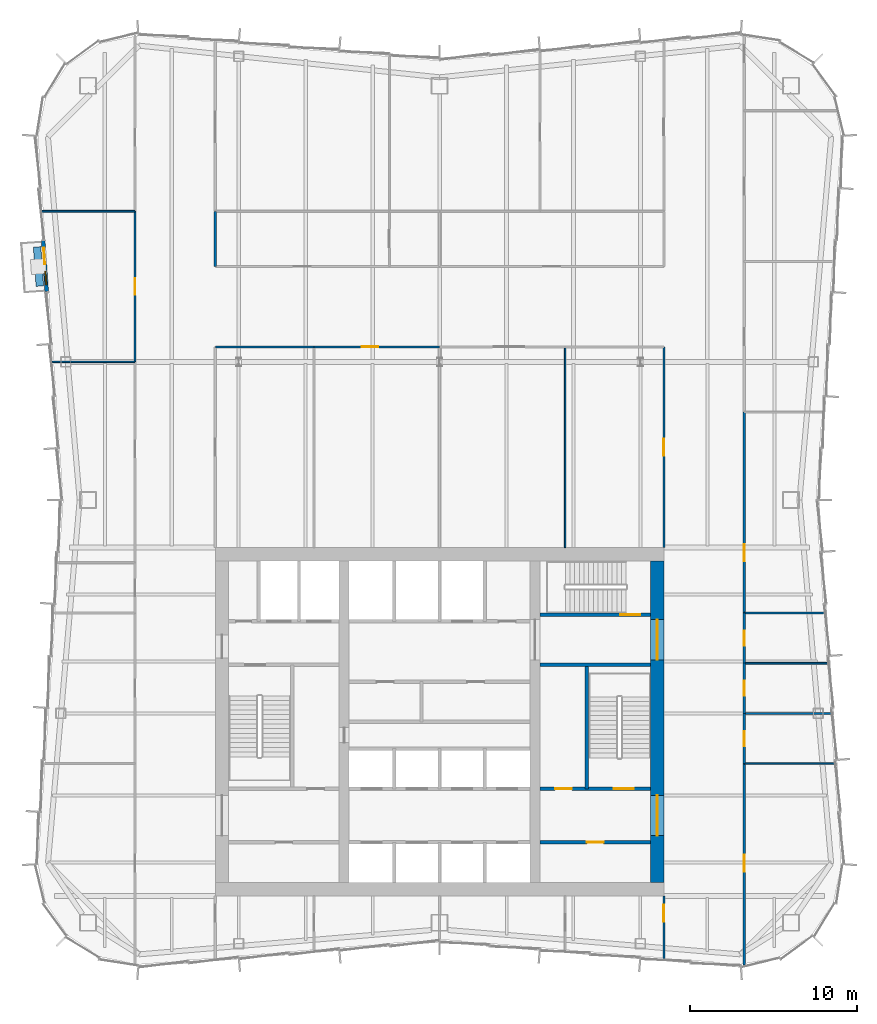
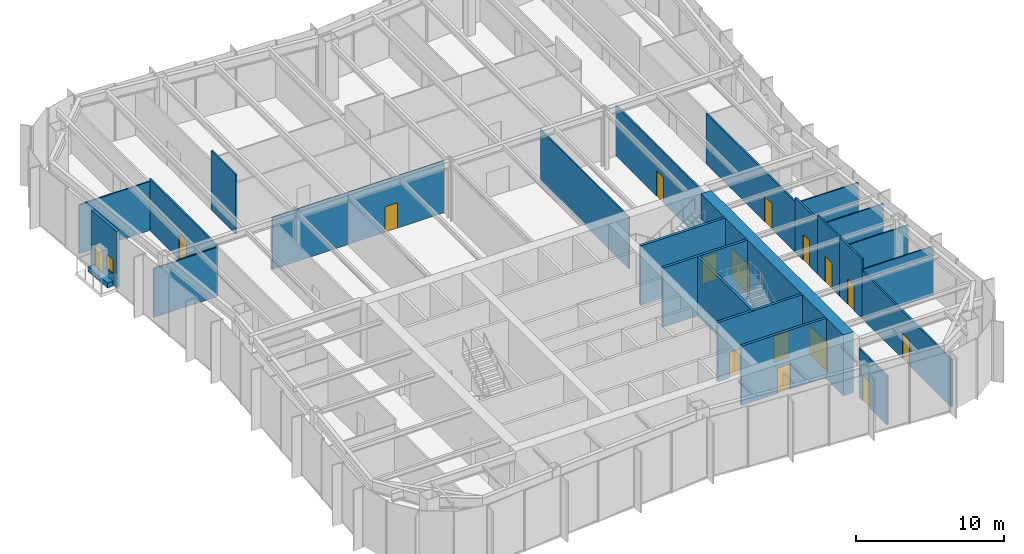
# One storey, part 12 of 15: 26 walls, 16 doors, 1 window, 17 openings.
"""IFC4 building model written with IfcOpenShell, lengths in metres."""

from ifc_helpers import new_model, si_unit, direction, frame, frame_2d, origin, place, context, subcontext, project, spatial, rectangle, extrude, material, layer, layer_set, type_object, element, fill, save


model = new_model("IFC4")

# Units and contexts
model_context = context("Model", 3, precision=1e-05, world=origin(), true_north=direction((0.0, 1.0)))
body_context = subcontext(model_context, "Body", "Model", "MODEL_VIEW")
ifc_project = project(units=[si_unit("LENGTHUNIT", "METRE"), si_unit("AREAUNIT", "SQUARE_METRE"), si_unit("VOLUMEUNIT", "CUBIC_METRE"), si_unit("PLANEANGLEUNIT", "RADIAN"), si_unit("MASSUNIT", "GRAM", prefix="KILO")], contexts=[model_context])

# Site, building, storey
site_placement = place(None, origin())
site = spatial("IfcSite", under=ifc_project, at=site_placement, CompositionType="ELEMENT")
building_placement = place(site_placement, origin())
building = spatial("IfcBuilding", under=site, at=building_placement, Name="Verdant Reach Tower", CompositionType="ELEMENT")
storey_placement = place(building_placement, frame((0.0, 0.0, 233.0)))
storey = spatial("IfcBuildingStorey", under=building, at=storey_placement, Name="L53", CompositionType="ELEMENT", Elevation=233.0)

# Wall, opening, door
ifc_material_1 = material(Name="Gypsum board on steel studs", Category="steel")
ifc_layer_1 = layer(ifc_material_1, 0.199951171875)
ifc_layer_set_1 = layer_set([ifc_layer_1], Name="CO-WALL-ROOM")
wall_type_1 = type_object("IfcWallType", Name="CO-WALL-ROOM", PredefinedType="PARTITIONING", material=ifc_layer_set_1)
wall_1_placement = place(storey_placement, frame((6.0, 20.800048828125, 0.0), z_axis=(0.0, 0.0, 1.0), x_axis=(1.0, 0.0, 0.0)))
wall_1 = element("IfcWall", 1, at=wall_1_placement, inside=storey, type_object=wall_type_1, Name="Core partition, L53", PredefinedType="PARTITIONING", context=body_context, shape_type="SweptSolid", body=[
    extrude(rectangle(XDim=6.60009765625, YDim=0.199951171875, at=frame_2d((3.300048828125, 0.0))), origin(), (0.0, 0.0, 1.0), 4.8701171875),
])
opening_1_placement = place(wall_1_placement, frame((2.800048828125, 0.0, 0.0)))
opening_1 = element("IfcOpeningElement", 2, at=opening_1_placement, cuts=wall_1, Name="Opening CD", PredefinedType="OPENING", context=body_context, shape_type="SweptSolid", body=[
    extrude(rectangle(XDim=1.0, YDim=2.10009765625, at=frame_2d((0.5, 1.050048828125))), frame((0.0, 0.10986328125, 0.0), z_axis=(0.0, -1.0, 0.0), x_axis=(1.0, 0.0, 0.0)), (0.0, 0.0, 1.0), 0.219970703125),
])
ifc_material_2 = material(Name="Timber", Category="wood")
door_type_1 = type_object("IfcDoorType", Name="CO-DOOR-ROOM", OperationType="NOTDEFINED", PredefinedType="DOOR", material=ifc_material_2)
door_1_placement = place(opening_1_placement, origin())
door_1 = element("IfcDoor", 3, at=door_1_placement, inside=storey, type_object=door_type_1, Name="Core room door, L53", OperationType="SINGLE_SWING_RIGHT", OverallHeight=2.10009765625, OverallWidth=1.0, PredefinedType="DOOR", context=body_context, shape_type="SweptSolid", body=[
    extrude(rectangle(XDim=1.0, YDim=2.10009765625, at=frame_2d((0.5, 1.050048828125))), frame((0.0, 0.02490234375, 0.0), z_axis=(0.0, -1.0, 0.0), x_axis=(1.0, 0.0, 0.0)), (0.0, 0.0, 1.0), 0.050048828125),
])
fill(opening_1, door_1)

# Wall, openings, doors
ifc_material_3 = material(Name="Concrete C40/50", Category="concrete")
ifc_layer_2 = layer(ifc_material_3, 0.199951171875)
ifc_layer_set_2 = layer_set([ifc_layer_2], Name="CO-WALL-STAIR")
wall_type_2 = type_object("IfcWallType", Name="CO-WALL-STAIR", PredefinedType="PARTITIONING", material=ifc_layer_set_2)
wall_2_placement = place(storey_placement, frame((6.0, 24.0, 0.0), z_axis=(0.0, 0.0, 1.0), x_axis=(1.0, 0.0, 0.0)))
wall_2 = element("IfcWall", 4, at=wall_2_placement, inside=storey, type_object=wall_type_2, Name="Stair enclosure wall, L53", PredefinedType="PARTITIONING", context=body_context, shape_type="SweptSolid", body=[
    extrude(rectangle(XDim=6.60009765625, YDim=0.199951171875, at=frame_2d((3.300048828125, 0.0))), origin(), (0.0, 0.0, 1.0), 4.8701171875),
])
opening_2_placement = place(wall_2_placement, frame((0.89990234375, 0.0, 0.0)))
opening_2 = element("IfcOpeningElement", 5, at=opening_2_placement, cuts=wall_2, Name="Opening CD", PredefinedType="OPENING", context=body_context, shape_type="SweptSolid", body=[
    extrude(rectangle(XDim=1.0, YDim=2.10009765625, at=frame_2d((0.5, 1.050048828125))), frame((0.0, 0.10986328125, 0.0), z_axis=(0.0, -1.0, 0.0), x_axis=(1.0, 0.0, 0.0)), (0.0, 0.0, 1.0), 0.219970703125),
])
opening_3_placement = place(wall_2_placement, frame((4.39990234375, 0.0, 0.0)))
opening_3 = element("IfcOpeningElement", 6, at=opening_3_placement, cuts=wall_2, Name="Opening SD", PredefinedType="OPENING", context=body_context, shape_type="SweptSolid", body=[
    extrude(rectangle(XDim=1.199951171875, YDim=2.199951171875, at=frame_2d((0.60009765625, 1.10009765625))), frame((0.0, 0.10986328125, 0.0), z_axis=(0.0, -1.0, 0.0), x_axis=(1.0, 0.0, 0.0)), (0.0, 0.0, 1.0), 0.219970703125),
])
door_2_placement = place(opening_2_placement, origin())
door_2 = element("IfcDoor", 7, at=door_2_placement, inside=storey, type_object=door_type_1, Name="Core room door, L53", OperationType="SINGLE_SWING_LEFT", OverallHeight=2.10009765625, OverallWidth=1.0, PredefinedType="DOOR", context=body_context, shape_type="SweptSolid", body=[
    extrude(rectangle(XDim=1.0, YDim=2.10009765625, at=frame_2d((0.5, 1.050048828125))), frame((0.0, 0.02490234375, 0.0), z_axis=(0.0, -1.0, 0.0), x_axis=(1.0, 0.0, 0.0)), (0.0, 0.0, 1.0), 0.050048828125),
])
fill(opening_2, door_2)
ifc_material_4 = material(Name="Steel", Category="steel")
door_type_2 = type_object("IfcDoorType", Name="CO-DOOR-STAIR", OperationType="NOTDEFINED", PredefinedType="DOOR", material=ifc_material_4)
door_3_placement = place(opening_3_placement, origin())
door_3 = element("IfcDoor", 8, at=door_3_placement, inside=storey, type_object=door_type_2, Name="Stair door, L53", OperationType="SINGLE_SWING_LEFT", OverallHeight=2.199951171875, OverallWidth=1.199951171875, PredefinedType="DOOR", context=body_context, shape_type="SweptSolid", body=[
    extrude(rectangle(XDim=1.199951171875, YDim=2.199951171875, at=frame_2d((0.60009765625, 1.10009765625))), frame((0.0, 0.02490234375, 0.0), z_axis=(0.0, -1.0, 0.0), x_axis=(1.0, 0.0, 0.0)), (0.0, 0.0, 1.0), 0.050048828125),
])
fill(opening_3, door_3)

# Wall
wall_3_placement = place(storey_placement, frame((6.0, 31.39990234375, 0.0), z_axis=(0.0, 0.0, 1.0), x_axis=(1.0, 0.0, 0.0)))
element("IfcWall", 9, at=wall_3_placement, inside=storey, type_object=wall_type_2, Name="Stair enclosure wall, L53", PredefinedType="PARTITIONING", context=body_context, shape_type="SweptSolid", body=[
    extrude(rectangle(XDim=6.60009765625, YDim=0.199951171875, at=frame_2d((3.300048828125, 0.0))), origin(), (0.0, 0.0, 1.0), 4.8701171875),
])

# Wall, opening, door
wall_4_placement = place(storey_placement, frame((6.0, 34.39990234375, 0.0), z_axis=(0.0, 0.0, 1.0), x_axis=(1.0, 0.0, 0.0)))
wall_4 = element("IfcWall", 10, at=wall_4_placement, inside=storey, type_object=wall_type_2, Name="Stair enclosure wall, L53", PredefinedType="PARTITIONING", context=body_context, shape_type="SweptSolid", body=[
    extrude(rectangle(XDim=6.60009765625, YDim=0.199951171875, at=frame_2d((3.300048828125, 0.0))), origin(), (0.0, 0.0, 1.0), 4.8701171875),
])
opening_4_placement = place(wall_4_placement, frame((4.800048828125, 0.0, 0.0)))
opening_4 = element("IfcOpeningElement", 11, at=opening_4_placement, cuts=wall_4, Name="Opening SD", PredefinedType="OPENING", context=body_context, shape_type="SweptSolid", body=[
    extrude(rectangle(XDim=1.199951171875, YDim=2.199951171875, at=frame_2d((0.60009765625, 1.10009765625))), frame((0.0, 0.10986328125, 0.0), z_axis=(0.0, -1.0, 0.0), x_axis=(1.0, 0.0, 0.0)), (0.0, 0.0, 1.0), 0.219970703125),
])
door_4_placement = place(opening_4_placement, origin())
door_4 = element("IfcDoor", 12, at=door_4_placement, inside=storey, type_object=door_type_2, Name="Stair door, L53", OperationType="SINGLE_SWING_RIGHT", OverallHeight=2.199951171875, OverallWidth=1.199951171875, PredefinedType="DOOR", context=body_context, shape_type="SweptSolid", body=[
    extrude(rectangle(XDim=1.199951171875, YDim=2.199951171875, at=frame_2d((0.60009765625, 1.10009765625))), frame((0.0, 0.02490234375, 0.0), z_axis=(0.0, -1.0, 0.0), x_axis=(1.0, 0.0, 0.0)), (0.0, 0.0, 1.0), 0.050048828125),
])
fill(opening_4, door_4)

# Wall
wall_5_placement = place(storey_placement, frame((8.800048828125, 24.0, 0.0), z_axis=(0.0, 0.0, 1.0), x_axis=(0.0, 1.0, 0.0)))
element("IfcWall", 13, at=wall_5_placement, inside=storey, type_object=wall_type_2, Name="Stair enclosure wall, L53", PredefinedType="PARTITIONING", context=body_context, shape_type="SweptSolid", body=[
    extrude(rectangle(XDim=7.39990234375, YDim=0.199951171875, at=frame_2d((3.699951171875, 0.0))), origin(), (0.0, 0.0, 1.0), 4.8701171875),
])

# Wall, openings, door, window
ifc_material_5 = material(Name="Insulated bronze aluminium panel wall", Category="aluminium")
ifc_layer_3 = layer(ifc_material_5, 0.219970703125)
ifc_layer_set_3 = layer_set([ifc_layer_3], Name="EN-INFILL WALL")
wall_type_3 = type_object("IfcWallType", Name="EN-INFILL WALL", PredefinedType="SOLIDWALL", material=ifc_layer_set_3)
wall_6_placement = place(storey_placement, frame((-23.680908203125, 56.744140625, 0.0), z_axis=(0.0, 0.0, 1.0), x_axis=(0.068837845086, -0.997627862023, 0.0)))
wall_6 = element("IfcWall", 14, at=wall_6_placement, inside=storey, type_object=wall_type_3, Name="External infill wall, balcony bay 1, L53", PredefinedType="SOLIDWALL", context=body_context, shape_type="SweptSolid", body=[
    extrude(rectangle(XDim=3.046630859375, YDim=0.22412109375, at=frame_2d((1.5234375, 0.0))), origin(), (0.0, 0.0, 1.0), 4.64990234375),
])
opening_5_placement = place(wall_6_placement, frame((0.41552734375, 0.0, 0.0)))
opening_5 = element("IfcOpeningElement", 15, at=opening_5_placement, cuts=wall_6, Name="Opening BD1", PredefinedType="OPENING", context=body_context, shape_type="SweptSolid", body=[
    extrude(rectangle(XDim=1.0, YDim=2.10009765625, at=frame_2d((0.5, 1.050048828125))), frame((0.0, 0.1220703125, 0.0), z_axis=(0.0, -1.0, 0.0), x_axis=(1.0, 0.0, 0.0)), (0.0, 0.0, 1.0), 0.244140625),
])
opening_6_placement = place(wall_6_placement, frame((1.8310546875, 0.0, 0.89990234375)))
opening_6 = element("IfcOpeningElement", 16, at=opening_6_placement, cuts=wall_6, Name="Opening BW1", PredefinedType="OPENING", context=body_context, shape_type="SweptSolid", body=[
    extrude(rectangle(XDim=0.800048828125, YDim=1.199951171875, at=frame_2d((0.39990234375, 0.60009765625))), frame((0.0, 0.1220703125, 0.0), z_axis=(0.0, -1.0, 0.0), x_axis=(1.0, 0.0, 0.0)), (0.0, 0.0, 1.0), 0.244140625),
])
ifc_material_6 = material(Name="Aluminium framed glazed door", Category="aluminium")
door_type_3 = type_object("IfcDoorType", Name="EN-DOOR BALCONY", OperationType="NOTDEFINED", PredefinedType="DOOR", material=ifc_material_6)
door_5_placement = place(opening_5_placement, origin())
door_5 = element("IfcDoor", 17, at=door_5_placement, inside=storey, type_object=door_type_3, Name="Balcony door 1, L53", OperationType="SINGLE_SWING_LEFT", OverallHeight=2.10009765625, OverallWidth=1.0, PredefinedType="DOOR", context=body_context, shape_type="SweptSolid", body=[
    extrude(rectangle(XDim=1.0, YDim=2.10009765625, at=frame_2d((0.5, 1.050048828125))), frame((0.0, 0.02490234375, 0.0), z_axis=(0.0, -1.0, 0.0), x_axis=(1.0, 0.0, 0.0)), (0.0, 0.0, 1.0), 0.050048828125),
])
fill(opening_5, door_5)
ifc_material_7 = material(Name="Aluminium framed glazing", Category="aluminium")
window_type = type_object("IfcWindowType", Name="EN-WINDOW BALCONY", PartitioningType="SINGLE_PANEL", PredefinedType="WINDOW", material=ifc_material_7)
window_placement = place(opening_6_placement, origin())
window = element("IfcWindow", 18, at=window_placement, inside=storey, type_object=window_type, Name="Balcony window 1, L53", OverallHeight=1.199951171875, OverallWidth=0.800048828125, PartitioningType="SINGLE_PANEL", PredefinedType="WINDOW", context=body_context, shape_type="SweptSolid", body=[
    extrude(rectangle(XDim=0.800048828125, YDim=1.199951171875, at=frame_2d((0.39990234375, 0.60009765625))), frame((0.0, 0.030029296875, 0.0), z_axis=(0.0, -1.0, 0.0), x_axis=(1.0, 0.0, 0.0)), (0.0, 0.0, 1.0), 0.06005859375),
])
fill(opening_6, window)

# Walls
ifc_material_8 = material(Name="Precast concrete C30/37", Category="concrete")
ifc_layer_4 = layer(ifc_material_8, 0.449951171875)
ifc_layer_set_4 = layer_set([ifc_layer_4], Name="EN-PLANTER")
wall_type_4 = type_object("IfcWallType", Name="EN-PLANTER", PredefinedType="USERDEFINED", material=ifc_layer_set_4)
wall_7_placement = place(storey_placement, frame((-24.042724609375, 56.368408203125, 0.0), z_axis=(0.0, 0.0, 1.0), x_axis=(0.068769956374, -0.997632544127, 0.0)))
element("IfcWall", 19, at=wall_7_placement, inside=storey, type_object=wall_type_4, Name="Balcony planter 1, L53", ObjectType="PLANTER", PredefinedType="USERDEFINED", context=body_context, shape_type="SweptSolid", body=[
    extrude(rectangle(XDim=2.3466796875, YDim=0.449951171875, at=frame_2d((1.17333984375, 0.0))), origin(), (0.0, 0.0, 1.0), 0.39990234375),
])
ifc_layer_5 = layer(ifc_material_1, 0.10009765625)
ifc_layer_set_5 = layer_set([ifc_layer_5], Name="FL-W1 Partition 100")
wall_type_5 = type_object("IfcWallType", Name="FL-W1 Partition 100", PredefinedType="PARTITIONING", material=ifc_layer_set_5)
wall_8_placement = place(storey_placement, frame((-18.199951171875, 49.5, 0.0), z_axis=(0.0, 0.0, 1.0), x_axis=(-1.0, 0.0, 0.0)))
element("IfcWall", 20, at=wall_8_placement, inside=storey, type_object=wall_type_5, Name="Partition 53.33", PredefinedType="PARTITIONING", context=body_context, shape_type="SweptSolid", body=[
    extrude(rectangle(XDim=4.948974609375, YDim=0.10009765625, at=frame_2d((2.474609375, 0.0))), origin(), (0.0, 0.0, 1.0), 4.0400390625),
])
wall_9_placement = place(storey_placement, frame((-18.199951171875, 58.5, 0.0), z_axis=(0.0, 0.0, 1.0), x_axis=(-1.0, 0.0, 0.0)))
element("IfcWall", 21, at=wall_9_placement, inside=storey, type_object=wall_type_5, Name="Partition 53.34", PredefinedType="PARTITIONING", context=body_context, shape_type="SweptSolid", body=[
    extrude(rectangle(XDim=5.56982421875, YDim=0.10009765625, at=frame_2d((2.784912109375, 0.0))), origin(), (0.0, 0.0, 1.0), 4.0400390625),
])
wall_10_placement = place(storey_placement, frame((23.666259765625, 25.5, 0.0), z_axis=(0.0, 0.0, 1.0), x_axis=(-1.0, 0.0, 0.0)))
element("IfcWall", 22, at=wall_10_placement, inside=storey, type_object=wall_type_5, Name="Partition 53.35", PredefinedType="PARTITIONING", context=body_context, shape_type="SweptSolid", body=[
    extrude(rectangle(XDim=5.46630859375, YDim=0.10009765625, at=frame_2d((2.733154296875, 0.0))), origin(), (0.0, 0.0, 1.0), 4.0400390625),
])
wall_11_placement = place(storey_placement, frame((23.459228515625, 28.5, 0.0), z_axis=(0.0, 0.0, 1.0), x_axis=(-1.0, 0.0, 0.0)))
element("IfcWall", 23, at=wall_11_placement, inside=storey, type_object=wall_type_5, Name="Partition 53.36", PredefinedType="PARTITIONING", context=body_context, shape_type="SweptSolid", body=[
    extrude(rectangle(XDim=5.25927734375, YDim=0.10009765625, at=frame_2d((2.629638671875, 0.0))), origin(), (0.0, 0.0, 1.0), 4.0400390625),
])
wall_12_placement = place(storey_placement, frame((23.25244140625, 31.5, 0.0), z_axis=(0.0, 0.0, 1.0), x_axis=(-1.0, 0.0, 0.0)))
element("IfcWall", 24, at=wall_12_placement, inside=storey, type_object=wall_type_5, Name="Partition 53.37", PredefinedType="PARTITIONING", context=body_context, shape_type="SweptSolid", body=[
    extrude(rectangle(XDim=5.052490234375, YDim=0.10009765625, at=frame_2d((2.5263671875, 0.0))), origin(), (0.0, 0.0, 1.0), 4.0400390625),
])
wall_13_placement = place(storey_placement, frame((23.04541015625, 34.5, 0.0), z_axis=(0.0, 0.0, 1.0), x_axis=(-1.0, 0.0, 0.0)))
element("IfcWall", 25, at=wall_13_placement, inside=storey, type_object=wall_type_5, Name="Partition 53.38", PredefinedType="PARTITIONING", context=body_context, shape_type="SweptSolid", body=[
    extrude(rectangle(XDim=4.845458984375, YDim=0.10009765625, at=frame_2d((2.4228515625, 0.0))), origin(), (0.0, 0.0, 1.0), 4.0400390625),
])
wall_14_placement = place(storey_placement, frame((7.5, 50.39990234375, 0.0), z_axis=(0.0, 0.0, 1.0), x_axis=(0.0, -1.0, 0.0)))
element("IfcWall", 26, at=wall_14_placement, inside=storey, type_object=wall_type_5, Name="Partition 53.47", PredefinedType="PARTITIONING", context=body_context, shape_type="SweptSolid", body=[
    extrude(rectangle(XDim=12.0, YDim=0.10009765625, at=frame_2d((6.0, 0.0))), origin(), (0.0, 0.0, 1.0), 4.239990234375),
])

# Wall, opening, door
ifc_material_9 = material(Name="Gypsum board on steel studs, fire rated", Category="steel")
ifc_layer_6 = layer(ifc_material_9, 0.125)
ifc_layer_set_6 = layer_set([ifc_layer_6], Name="FL-W2 Corridor wall 125")
wall_type_6 = type_object("IfcWallType", Name="FL-W2 Corridor wall 125", PredefinedType="PARTITIONING", material=ifc_layer_set_6)
wall_15_placement = place(storey_placement, frame((-18.199951171875, 49.5, 0.0), z_axis=(0.0, 0.0, 1.0), x_axis=(0.0, 1.0, 0.0)))
wall_15 = element("IfcWall", 27, at=wall_15_placement, inside=storey, type_object=wall_type_6, Name="Partition 53.05", PredefinedType="PARTITIONING", context=body_context, shape_type="SweptSolid", body=[
    extrude(rectangle(XDim=9.0, YDim=0.125, at=frame_2d((4.5, 0.0))), origin(), (0.0, 0.0, 1.0), 4.239990234375),
])
opening_7_placement = place(wall_15_placement, frame((4.0, 0.0, 0.0)))
opening_7 = element("IfcOpeningElement", 28, at=opening_7_placement, cuts=wall_15, Name="Opening D2", PredefinedType="OPENING", context=body_context, shape_type="SweptSolid", body=[
    extrude(rectangle(XDim=1.0, YDim=2.10009765625, at=frame_2d((0.5, 1.050048828125))), frame((0.0, 0.072509765625, 0.0), z_axis=(0.0, -1.0, 0.0), x_axis=(1.0, 0.0, 0.0)), (0.0, 0.0, 1.0), 0.14501953125),
])
ifc_material_10 = material(Name="Timber door leaf, fire rated", Category="wood")
door_type_4 = type_object("IfcDoorType", Name="FL-D2 Entrance door 1000x2100 FD30", OperationType="NOTDEFINED", PredefinedType="DOOR", material=ifc_material_10)
door_6_placement = place(opening_7_placement, origin())
door_6 = element("IfcDoor", 29, at=door_6_placement, inside=storey, type_object=door_type_4, Name="Door 53-005", OperationType="SINGLE_SWING_LEFT", OverallHeight=2.10009765625, OverallWidth=1.0, PredefinedType="DOOR", context=body_context, shape_type="SweptSolid", body=[
    extrude(rectangle(XDim=1.0, YDim=2.10009765625, at=frame_2d((0.5, 1.050048828125))), frame((0.0, 0.02490234375, 0.0), z_axis=(0.0, -1.0, 0.0), x_axis=(1.0, 0.0, 0.0)), (0.0, 0.0, 1.0), 0.050048828125),
])
fill(opening_7, door_6)

wall_16_placement = place(storey_placement, frame((18.199951171875, 25.5, 0.0), z_axis=(0.0, 0.0, 1.0), x_axis=(0.0, -1.0, 0.0)))
wall_16 = element("IfcWall", 30, at=wall_16_placement, inside=storey, type_object=wall_type_6, Name="Partition 53.07", PredefinedType="PARTITIONING", context=body_context, shape_type="SweptSolid", body=[
    extrude(rectangle(XDim=12.040283203125, YDim=0.125, at=frame_2d((6.02001953125, 0.0))), origin(), (0.0, 0.0, 1.0), 3.929931640625),
])
opening_8_placement = place(wall_16_placement, frame((5.45458984375, 0.0, 0.0)))
opening_8 = element("IfcOpeningElement", 31, at=opening_8_placement, cuts=wall_16, Name="Opening D2", PredefinedType="OPENING", context=body_context, shape_type="SweptSolid", body=[
    extrude(rectangle(XDim=1.0, YDim=2.10009765625, at=frame_2d((0.5, 1.050048828125))), frame((0.0, 0.072509765625, 0.0), z_axis=(0.0, -1.0, 0.0), x_axis=(1.0, 0.0, 0.0)), (0.0, 0.0, 1.0), 0.14501953125),
])
door_7_placement = place(opening_8_placement, origin())
door_7 = element("IfcDoor", 32, at=door_7_placement, inside=storey, type_object=door_type_4, Name="Door 53-007", OperationType="SINGLE_SWING_LEFT", OverallHeight=2.10009765625, OverallWidth=1.0, PredefinedType="DOOR", context=body_context, shape_type="SweptSolid", body=[
    extrude(rectangle(XDim=1.0, YDim=2.10009765625, at=frame_2d((0.5, 1.050048828125))), frame((0.0, 0.02490234375, 0.0), z_axis=(0.0, -1.0, 0.0), x_axis=(1.0, 0.0, 0.0)), (0.0, 0.0, 1.0), 0.050048828125),
])
fill(opening_8, door_7)

wall_17_placement = place(storey_placement, frame((18.199951171875, 28.5, 0.0), z_axis=(0.0, 0.0, 1.0), x_axis=(0.0, -1.0, 0.0)))
wall_17 = element("IfcWall", 33, at=wall_17_placement, inside=storey, type_object=wall_type_6, Name="Partition 53.08", PredefinedType="PARTITIONING", context=body_context, shape_type="SweptSolid", body=[
    extrude(rectangle(XDim=3.0, YDim=0.125, at=frame_2d((1.5, 0.0))), origin(), (0.0, 0.0, 1.0), 4.8701171875),
])
opening_9_placement = place(wall_17_placement, frame((1.050048828125, 0.0, 0.0)))
opening_9 = element("IfcOpeningElement", 34, at=opening_9_placement, cuts=wall_17, Name="Opening D1", PredefinedType="OPENING", context=body_context, shape_type="SweptSolid", body=[
    extrude(rectangle(XDim=0.89990234375, YDim=2.10009765625, at=frame_2d((0.449951171875, 1.050048828125))), frame((0.0, 0.072509765625, 0.0), z_axis=(0.0, -1.0, 0.0), x_axis=(1.0, 0.0, 0.0)), (0.0, 0.0, 1.0), 0.14501953125),
])
ifc_material_11 = material(Name="Painted timber door leaf", Category="wood")
door_type_5 = type_object("IfcDoorType", Name="FL-D1 Door 900x2100", OperationType="NOTDEFINED", PredefinedType="DOOR", material=ifc_material_11)
door_8_placement = place(opening_9_placement, origin())
door_8 = element("IfcDoor", 35, at=door_8_placement, inside=storey, type_object=door_type_5, Name="Door 53-008", OperationType="SINGLE_SWING_RIGHT", OverallHeight=2.10009765625, OverallWidth=0.89990234375, PredefinedType="DOOR", context=body_context, shape_type="SweptSolid", body=[
    extrude(rectangle(XDim=0.89990234375, YDim=2.10009765625, at=frame_2d((0.449951171875, 1.050048828125))), frame((0.0, 0.02490234375, 0.0), z_axis=(0.0, -1.0, 0.0), x_axis=(1.0, 0.0, 0.0)), (0.0, 0.0, 1.0), 0.050048828125),
])
fill(opening_9, door_8)

wall_18_placement = place(storey_placement, frame((18.199951171875, 31.5, 0.0), z_axis=(0.0, 0.0, 1.0), x_axis=(0.0, -1.0, 0.0)))
wall_18 = element("IfcWall", 36, at=wall_18_placement, inside=storey, type_object=wall_type_6, Name="Partition 53.09", PredefinedType="PARTITIONING", context=body_context, shape_type="SweptSolid", body=[
    extrude(rectangle(XDim=3.0, YDim=0.125, at=frame_2d((1.5, 0.0))), origin(), (0.0, 0.0, 1.0), 4.8701171875),
])
opening_10_placement = place(wall_18_placement, frame((1.050048828125, 0.0, 0.0)))
opening_10 = element("IfcOpeningElement", 37, at=opening_10_placement, cuts=wall_18, Name="Opening D1", PredefinedType="OPENING", context=body_context, shape_type="SweptSolid", body=[
    extrude(rectangle(XDim=0.89990234375, YDim=2.10009765625, at=frame_2d((0.449951171875, 1.050048828125))), frame((0.0, 0.072509765625, 0.0), z_axis=(0.0, -1.0, 0.0), x_axis=(1.0, 0.0, 0.0)), (0.0, 0.0, 1.0), 0.14501953125),
])
door_9_placement = place(opening_10_placement, origin())
door_9 = element("IfcDoor", 38, at=door_9_placement, inside=storey, type_object=door_type_5, Name="Door 53-009", OperationType="SINGLE_SWING_LEFT", OverallHeight=2.10009765625, OverallWidth=0.89990234375, PredefinedType="DOOR", context=body_context, shape_type="SweptSolid", body=[
    extrude(rectangle(XDim=0.89990234375, YDim=2.10009765625, at=frame_2d((0.449951171875, 1.050048828125))), frame((0.0, 0.02490234375, 0.0), z_axis=(0.0, -1.0, 0.0), x_axis=(1.0, 0.0, 0.0)), (0.0, 0.0, 1.0), 0.050048828125),
])
fill(opening_10, door_9)

wall_19_placement = place(storey_placement, frame((18.199951171875, 34.5, 0.0), z_axis=(0.0, 0.0, 1.0), x_axis=(0.0, -1.0, 0.0)))
wall_19 = element("IfcWall", 39, at=wall_19_placement, inside=storey, type_object=wall_type_6, Name="Partition 53.10", PredefinedType="PARTITIONING", context=body_context, shape_type="SweptSolid", body=[
    extrude(rectangle(XDim=3.0, YDim=0.125, at=frame_2d((1.5, 0.0))), origin(), (0.0, 0.0, 1.0), 4.47998046875),
])
opening_11_placement = place(wall_19_placement, frame((1.050048828125, 0.0, 0.0)))
opening_11 = element("IfcOpeningElement", 40, at=opening_11_placement, cuts=wall_19, Name="Opening D1", PredefinedType="OPENING", context=body_context, shape_type="SweptSolid", body=[
    extrude(rectangle(XDim=0.89990234375, YDim=2.10009765625, at=frame_2d((0.449951171875, 1.050048828125))), frame((0.0, 0.072509765625, 0.0), z_axis=(0.0, -1.0, 0.0), x_axis=(1.0, 0.0, 0.0)), (0.0, 0.0, 1.0), 0.14501953125),
])
door_10_placement = place(opening_11_placement, origin())
door_10 = element("IfcDoor", 41, at=door_10_placement, inside=storey, type_object=door_type_5, Name="Door 53-010", OperationType="SINGLE_SWING_RIGHT", OverallHeight=2.10009765625, OverallWidth=0.89990234375, PredefinedType="DOOR", context=body_context, shape_type="SweptSolid", body=[
    extrude(rectangle(XDim=0.89990234375, YDim=2.10009765625, at=frame_2d((0.449951171875, 1.050048828125))), frame((0.0, 0.02490234375, 0.0), z_axis=(0.0, -1.0, 0.0), x_axis=(1.0, 0.0, 0.0)), (0.0, 0.0, 1.0), 0.050048828125),
])
fill(opening_11, door_10)

wall_20_placement = place(storey_placement, frame((18.199951171875, 46.5, 0.0), z_axis=(0.0, 0.0, 1.0), x_axis=(0.0, -1.0, 0.0)))
wall_20 = element("IfcWall", 42, at=wall_20_placement, inside=storey, type_object=wall_type_6, Name="Partition 53.11", PredefinedType="PARTITIONING", context=body_context, shape_type="SweptSolid", body=[
    extrude(rectangle(XDim=12.0, YDim=0.125, at=frame_2d((6.0, 0.0))), origin(), (0.0, 0.0, 1.0), 4.139892578125),
])
opening_12_placement = place(wall_20_placement, frame((7.89990234375, 0.0, 0.0)))
opening_12 = element("IfcOpeningElement", 43, at=opening_12_placement, cuts=wall_20, Name="Opening D2", PredefinedType="OPENING", context=body_context, shape_type="SweptSolid", body=[
    extrude(rectangle(XDim=1.0, YDim=2.10009765625, at=frame_2d((0.5, 1.050048828125))), frame((0.0, 0.072509765625, 0.0), z_axis=(0.0, -1.0, 0.0), x_axis=(1.0, 0.0, 0.0)), (0.0, 0.0, 1.0), 0.14501953125),
])
door_11_placement = place(opening_12_placement, origin())
door_11 = element("IfcDoor", 44, at=door_11_placement, inside=storey, type_object=door_type_4, Name="Door 53-011", OperationType="SINGLE_SWING_RIGHT", OverallHeight=2.10009765625, OverallWidth=1.0, PredefinedType="DOOR", context=body_context, shape_type="SweptSolid", body=[
    extrude(rectangle(XDim=1.0, YDim=2.10009765625, at=frame_2d((0.5, 1.050048828125))), frame((0.0, 0.02490234375, 0.0), z_axis=(0.0, -1.0, 0.0), x_axis=(1.0, 0.0, 0.0)), (0.0, 0.0, 1.0), 0.050048828125),
])
fill(opening_12, door_11)

wall_21_placement = place(storey_placement, frame((13.39990234375, 13.80322265625, 0.0), z_axis=(0.0, 0.0, 1.0), x_axis=(0.0, 1.0, 0.0)))
wall_21 = element("IfcWall", 45, at=wall_21_placement, inside=storey, type_object=wall_type_6, Name="Partition 53.16", PredefinedType="PARTITIONING", context=body_context, shape_type="SweptSolid", body=[
    extrude(rectangle(XDim=3.796875, YDim=0.125, at=frame_2d((1.8984375, 0.0))), origin(), (0.0, 0.0, 1.0), 4.0400390625),
])
opening_13_placement = place(wall_21_placement, frame((2.263427734375, 0.0, 0.0)))
opening_13 = element("IfcOpeningElement", 46, at=opening_13_placement, cuts=wall_21, Name="Opening D2", PredefinedType="OPENING", context=body_context, shape_type="SweptSolid", body=[
    extrude(rectangle(XDim=1.0, YDim=2.10009765625, at=frame_2d((0.5, 1.050048828125))), frame((0.0, 0.072509765625, 0.0), z_axis=(0.0, -1.0, 0.0), x_axis=(1.0, 0.0, 0.0)), (0.0, 0.0, 1.0), 0.14501953125),
])
door_12_placement = place(opening_13_placement, origin())
door_12 = element("IfcDoor", 47, at=door_12_placement, inside=storey, type_object=door_type_4, Name="Door 53-016", OperationType="SINGLE_SWING_RIGHT", OverallHeight=2.10009765625, OverallWidth=1.0, PredefinedType="DOOR", context=body_context, shape_type="SweptSolid", body=[
    extrude(rectangle(XDim=1.0, YDim=2.10009765625, at=frame_2d((0.5, 1.050048828125))), frame((0.0, 0.02490234375, 0.0), z_axis=(0.0, -1.0, 0.0), x_axis=(1.0, 0.0, 0.0)), (0.0, 0.0, 1.0), 0.050048828125),
])
fill(opening_13, door_12)

# Wall
wall_22_placement = place(storey_placement, frame((-7.5, 50.39990234375, 0.0), z_axis=(0.0, 0.0, 1.0), x_axis=(-1.0, 0.0, 0.0)))
element("IfcWall", 48, at=wall_22_placement, inside=storey, type_object=wall_type_6, Name="Partition 53.18", PredefinedType="PARTITIONING", context=body_context, shape_type="SweptSolid", body=[
    extrude(rectangle(XDim=5.89990234375, YDim=0.125, at=frame_2d((2.949951171875, 0.0))), origin(), (0.0, 0.0, 1.0), 4.239990234375),
])

# Wall, opening, door
wall_23_placement = place(storey_placement, frame((0.0, 50.39990234375, 0.0), z_axis=(0.0, 0.0, 1.0), x_axis=(-1.0, 0.0, 0.0)))
wall_23 = element("IfcWall", 49, at=wall_23_placement, inside=storey, type_object=wall_type_6, Name="Partition 53.19", PredefinedType="PARTITIONING", context=body_context, shape_type="SweptSolid", body=[
    extrude(rectangle(XDim=7.5, YDim=0.125, at=frame_2d((3.75, 0.0))), origin(), (0.0, 0.0, 1.0), 4.239990234375),
])
opening_14_placement = place(wall_23_placement, frame((3.64990234375, 0.0, 0.0)))
opening_14 = element("IfcOpeningElement", 50, at=opening_14_placement, cuts=wall_23, Name="Opening D2", PredefinedType="OPENING", context=body_context, shape_type="SweptSolid", body=[
    extrude(rectangle(XDim=1.0, YDim=2.10009765625, at=frame_2d((0.5, 1.050048828125))), frame((0.0, 0.072509765625, 0.0), z_axis=(0.0, -1.0, 0.0), x_axis=(1.0, 0.0, 0.0)), (0.0, 0.0, 1.0), 0.14501953125),
])
door_13_placement = place(opening_14_placement, origin())
door_13 = element("IfcDoor", 51, at=door_13_placement, inside=storey, type_object=door_type_4, Name="Door 53-018", OperationType="SINGLE_SWING_RIGHT", OverallHeight=2.10009765625, OverallWidth=1.0, PredefinedType="DOOR", context=body_context, shape_type="SweptSolid", body=[
    extrude(rectangle(XDim=1.0, YDim=2.10009765625, at=frame_2d((0.5, 1.050048828125))), frame((0.0, 0.02490234375, 0.0), z_axis=(0.0, -1.0, 0.0), x_axis=(1.0, 0.0, 0.0)), (0.0, 0.0, 1.0), 0.050048828125),
])
fill(opening_14, door_13)

wall_24_placement = place(storey_placement, frame((13.39990234375, 38.39990234375, 0.0), z_axis=(0.0, 0.0, 1.0), x_axis=(0.0, 1.0, 0.0)))
wall_24 = element("IfcWall", 52, at=wall_24_placement, inside=storey, type_object=wall_type_6, Name="Partition 53.21", PredefinedType="PARTITIONING", context=body_context, shape_type="SweptSolid", body=[
    extrude(rectangle(XDim=12.0, YDim=0.125, at=frame_2d((6.0, 0.0))), origin(), (0.0, 0.0, 1.0), 4.139892578125),
])
opening_15_placement = place(wall_24_placement, frame((5.5, 0.0, 0.0)))
opening_15 = element("IfcOpeningElement", 53, at=opening_15_placement, cuts=wall_24, Name="Opening D2", PredefinedType="OPENING", context=body_context, shape_type="SweptSolid", body=[
    extrude(rectangle(XDim=1.0, YDim=2.10009765625, at=frame_2d((0.5, 1.050048828125))), frame((0.0, 0.072509765625, 0.0), z_axis=(0.0, -1.0, 0.0), x_axis=(1.0, 0.0, 0.0)), (0.0, 0.0, 1.0), 0.14501953125),
])
door_14_placement = place(opening_15_placement, origin())
door_14 = element("IfcDoor", 54, at=door_14_placement, inside=storey, type_object=door_type_4, Name="Door 53-019", OperationType="SINGLE_SWING_LEFT", OverallHeight=2.10009765625, OverallWidth=1.0, PredefinedType="DOOR", context=body_context, shape_type="SweptSolid", body=[
    extrude(rectangle(XDim=1.0, YDim=2.10009765625, at=frame_2d((0.5, 1.050048828125))), frame((0.0, 0.02490234375, 0.0), z_axis=(0.0, -1.0, 0.0), x_axis=(1.0, 0.0, 0.0)), (0.0, 0.0, 1.0), 0.050048828125),
])
fill(opening_15, door_14)

# Wall
wall_25_placement = place(storey_placement, frame((-13.39990234375, 55.199951171875, 0.0), z_axis=(0.0, 0.0, 1.0), x_axis=(0.0, 1.0, 0.0)))
element("IfcWall", 55, at=wall_25_placement, inside=storey, type_object=wall_type_6, Name="Partition 53.24", PredefinedType="PARTITIONING", context=body_context, shape_type="SweptSolid", body=[
    extrude(rectangle(XDim=3.300048828125, YDim=0.125, at=frame_2d((1.64990234375, 0.0))), origin(), (0.0, 0.0, 1.0), 4.8701171875),
])

# Wall, openings, doors
ifc_material_12 = material(Name="Concrete C70/85", Category="concrete")
ifc_layer_7 = layer(ifc_material_12, 0.800048828125)
ifc_layer_set_7 = layer_set([ifc_layer_7], Name="ST-CORE-WALL-800")
wall_type_7 = type_object("IfcWallType", Name="ST-CORE-WALL-800", PredefinedType="SHEAR", material=ifc_layer_set_7)
wall_26_placement = place(storey_placement, frame((13.0, 18.39990234375, -0.1298828125), z_axis=(0.0, 0.0, 1.0), x_axis=(0.0, 1.0, 0.0)))
wall_26 = element("IfcWall", 56, at=wall_26_placement, inside=storey, type_object=wall_type_7, Name="Core wall E, L53", PredefinedType="SHEAR", context=body_context, shape_type="SweptSolid", body=[
    extrude(rectangle(XDim=19.2001953125, YDim=0.800048828125, at=frame_2d((9.60009765625, 0.0))), origin(), (0.0, 0.0, 1.0), 5.0),
])
opening_16_placement = place(wall_26_placement, frame((2.800048828125, 0.0, 0.1298828125)))
opening_16 = element("IfcOpeningElement", 57, at=opening_16_placement, cuts=wall_26, Name="Opening LB", PredefinedType="OPENING", context=body_context, shape_type="SweptSolid", body=[
    extrude(rectangle(XDim=2.39990234375, YDim=2.39990234375, at=frame_2d((1.199951171875, 1.199951171875))), frame((0.0, 0.409912109375, 0.0), z_axis=(0.0, -1.0, 0.0), x_axis=(1.0, 0.0, 0.0)), (0.0, 0.0, 1.0), 0.820068359375),
])
opening_17_placement = place(wall_26_placement, frame((13.300048828125, 0.0, 0.1298828125)))
opening_17 = element("IfcOpeningElement", 58, at=opening_17_placement, cuts=wall_26, Name="Opening LB", PredefinedType="OPENING", context=body_context, shape_type="SweptSolid", body=[
    extrude(rectangle(XDim=2.39990234375, YDim=2.39990234375, at=frame_2d((1.199951171875, 1.199951171875))), frame((0.0, 0.409912109375, 0.0), z_axis=(0.0, -1.0, 0.0), x_axis=(1.0, 0.0, 0.0)), (0.0, 0.0, 1.0), 0.820068359375),
])
ifc_material_13 = material(Name="Glass and steel", Category="steel")
door_type_6 = type_object("IfcDoorType", Name="CO-DOOR-LOBBY", OperationType="DOUBLE_DOOR_SINGLE_SWING", PredefinedType="DOOR", material=ifc_material_13)
door_15_placement = place(opening_16_placement, origin())
door_15 = element("IfcDoor", 59, at=door_15_placement, inside=storey, type_object=door_type_6, Name="Core entrance door, L53", OperationType="DOUBLE_DOOR_SINGLE_SWING", OverallHeight=2.39990234375, OverallWidth=2.39990234375, PredefinedType="DOOR", context=body_context, shape_type="SweptSolid", body=[
    extrude(rectangle(XDim=2.39990234375, YDim=2.39990234375, at=frame_2d((1.199951171875, 1.199951171875))), frame((0.0, 0.02490234375, 0.0), z_axis=(0.0, -1.0, 0.0), x_axis=(1.0, 0.0, 0.0)), (0.0, 0.0, 1.0), 0.050048828125),
])
fill(opening_16, door_15)
door_16_placement = place(opening_17_placement, origin())
door_16 = element("IfcDoor", 60, at=door_16_placement, inside=storey, type_object=door_type_6, Name="Core entrance door, L53", OperationType="DOUBLE_DOOR_SINGLE_SWING", OverallHeight=2.39990234375, OverallWidth=2.39990234375, PredefinedType="DOOR", context=body_context, shape_type="SweptSolid", body=[
    extrude(rectangle(XDim=2.39990234375, YDim=2.39990234375, at=frame_2d((1.199951171875, 1.199951171875))), frame((0.0, 0.02490234375, 0.0), z_axis=(0.0, -1.0, 0.0), x_axis=(1.0, 0.0, 0.0)), (0.0, 0.0, 1.0), 0.050048828125),
])
fill(opening_17, door_16)

save(model, "model.ifc")
